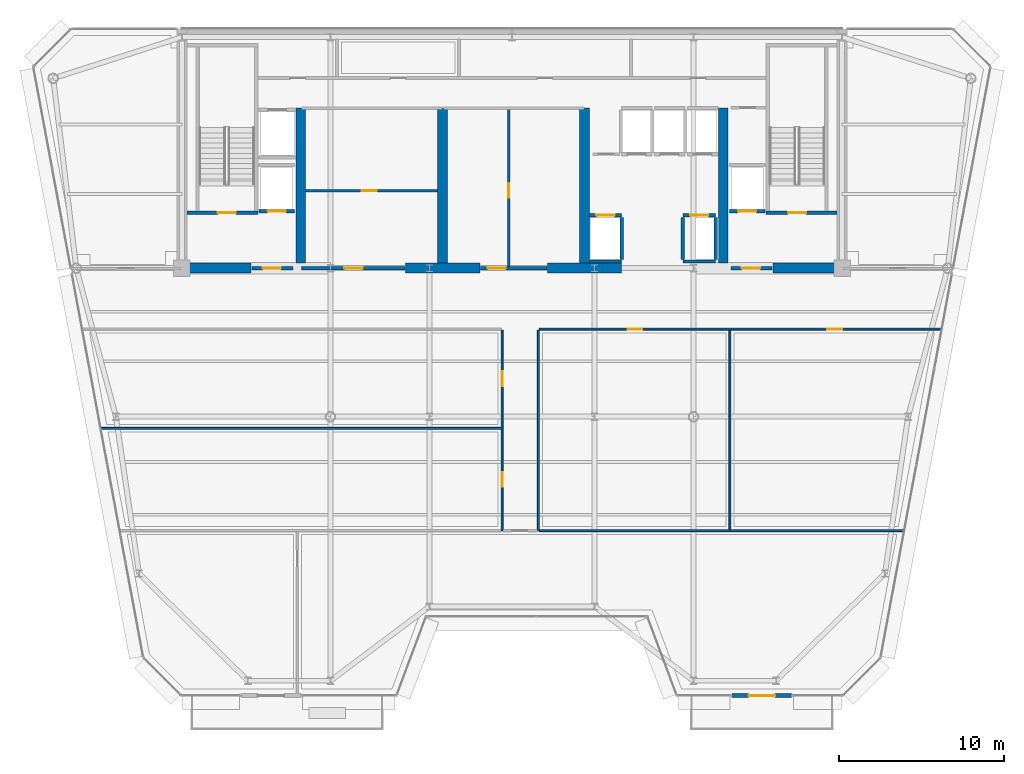
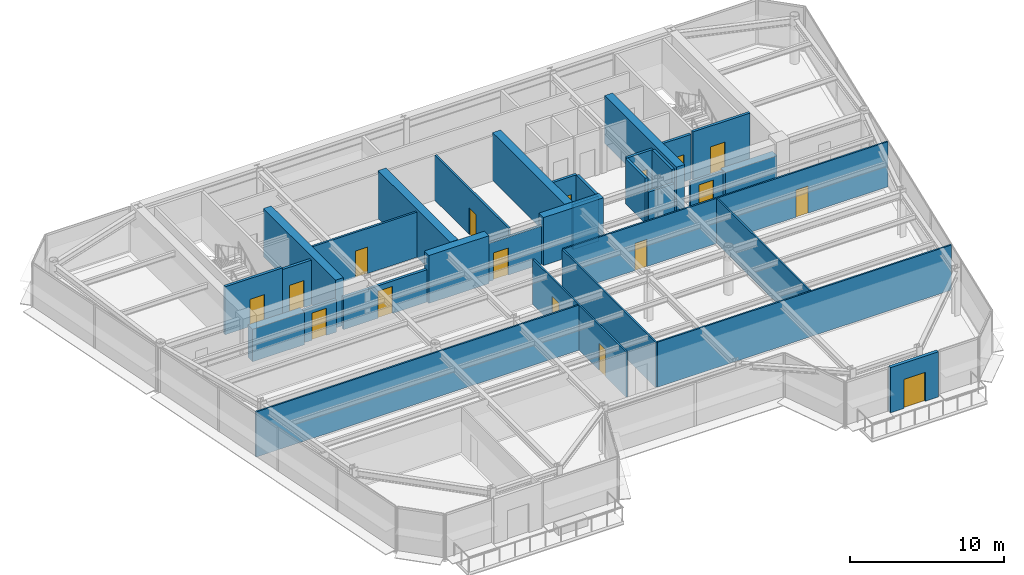
# One storey, part 9 of 14: 32 walls, 17 doors, 17 openings.
"""IFC4 building model written with IfcOpenShell, lengths in metres."""

from ifc_helpers import new_model, si_unit, direction, frame, frame_2d, origin, place, context, subcontext, project, spatial, rectangle, extrude, source, transform, mapped, material, layer, layer_set, type_object, element, fill, save


model = new_model("IFC4")

# Units and contexts
model_context = context("Model", 3, precision=1e-05, world=origin(), true_north=direction((0.0, 1.0)))
body_context = subcontext(model_context, "Body", "Model", "MODEL_VIEW")
ifc_project = project(units=[si_unit("LENGTHUNIT", "METRE"), si_unit("AREAUNIT", "SQUARE_METRE"), si_unit("VOLUMEUNIT", "CUBIC_METRE"), si_unit("PLANEANGLEUNIT", "RADIAN"), si_unit("MASSUNIT", "GRAM", prefix="KILO")], contexts=[model_context])

# Site, building, storey
site_placement = place(None, origin())
site = spatial("IfcSite", under=ifc_project, at=site_placement, CompositionType="ELEMENT")
building_placement = place(site_placement, origin())
building = spatial("IfcBuilding", under=site, at=building_placement, Name="Vaeldorn Concourse Tower", CompositionType="ELEMENT")
storey_placement = place(building_placement, frame((0.0, 0.0, 238.39990234375)))
storey = spatial("IfcBuildingStorey", under=building, at=storey_placement, Name="L61", CompositionType="ELEMENT", Elevation=238.39990234375)

# Walls
ifc_material_1 = material(Name="Concrete C50/60", Category="concrete")
ifc_layer_1 = layer(ifc_material_1, 0.60009765625)
ifc_layer_set_1 = layer_set([ifc_layer_1], Name="Concrete C50/60")
wall_type_1 = type_object("IfcWallType", Name="WL-CORE-600", PredefinedType="SHEAR", material=ifc_layer_set_1)
wall_1_placement = place(storey_placement, frame((14.320068359375, 36.5, 0.0), z_axis=(0.0, 0.0, 1.0), x_axis=(1.0, 0.0, 0.0)))
element("IfcWall", 1, at=wall_1_placement, inside=storey, type_object=wall_type_1, Name="Rear Core Shear Wall L61 S1", PredefinedType="SHEAR", context=body_context, shape_type="SweptSolid", body=[
    extrude(rectangle(XDim=3.8798828125, YDim=0.60009765625, at=frame_2d((1.93994140625, 0.0))), origin(), (0.0, 0.0, 1.0), 2.580078125),
])
for number, where, z_axis, x_axis, name in (
    (2, (27.550048828125, 36.5, 0.0), (0.0, 0.0, 1.0), (1.0, 0.0, 0.0), "Rear Core Shear Wall L61 S2"),
    (3, (36.14990234375, 36.5, 0.0), (0.0, 0.0, 1.0), (1.0, 0.0, 0.0), "Rear Core Shear Wall L61 S3"),
):
    element("IfcWall", number, at=place(storey_placement, frame(where, z_axis=z_axis, x_axis=x_axis)), inside=storey, type_object=wall_type_1, Name=name, PredefinedType="SHEAR", context=body_context, shape_type="SweptSolid", body=[
        extrude(rectangle(XDim=4.5, YDim=0.60009765625, at=frame_2d((2.25, 0.0))), origin(), (0.0, 0.0, 1.0), 3.800048828125),
    ])
wall_2_placement = place(storey_placement, frame((49.800048828125, 36.5, 0.0), z_axis=(0.0, 0.0, 1.0), x_axis=(1.0, 0.0, 0.0)))
element("IfcWall", 4, at=wall_2_placement, inside=storey, type_object=wall_type_1, Name="Rear Core Shear Wall L61 S4", PredefinedType="SHEAR", context=body_context, shape_type="SweptSolid", body=[
    extrude(rectangle(XDim=3.8798828125, YDim=0.60009765625, at=frame_2d((1.93994140625, 0.0))), origin(), (0.0, 0.0, 1.0), 2.580078125),
])
for number, where, z_axis, x_axis, name in (
    (5, (21.199951171875, 36.820068359375, 0.0), (0.0, 0.0, 1.0), (0.0, 1.0, 0.0), "Rear Core Shear Wall L61 M1"),
    (6, (29.800048828125, 36.820068359375, 0.0), (0.0, 0.0, 1.0), (0.0, 1.0, 0.0), "Rear Core Shear Wall L61 M2"),
    (7, (38.39990234375, 36.820068359375, 0.0), (0.0, 0.0, 1.0), (0.0, 1.0, 0.0), "Rear Core Shear Wall L61 M3"),
    (8, (46.800048828125, 36.820068359375, 0.0), (0.0, 0.0, 1.0), (0.0, 1.0, 0.0), "Rear Core Shear Wall L61 M4"),
):
    element("IfcWall", number, at=place(storey_placement, frame(where, z_axis=z_axis, x_axis=x_axis)), inside=storey, type_object=wall_type_1, Name=name, PredefinedType="SHEAR", context=body_context, shape_type="SweptSolid", body=[
        extrude(rectangle(XDim=9.3798828125, YDim=0.60009765625, at=frame_2d((4.68994140625, 0.0))), origin(), (0.0, 0.0, 1.0), 3.800048828125),
    ])

# Wall, opening, door
ifc_material_2 = material(Name="Precast concrete C40/50", Category="concrete")
ifc_layer_2 = layer(ifc_material_2, 0.25)
ifc_layer_set_2 = layer_set([ifc_layer_2], Name="Precast concrete C40/50")
wall_type_2 = type_object("IfcWallType", Name="WL-EXT-TERRACE-250", PredefinedType="STANDARD", material=ifc_layer_set_2)
wall_3_placement = place(storey_placement, frame((50.93994140625, 10.60009765625, 0.0), z_axis=(0.0, 0.0, 1.0), x_axis=(-1.0, 0.0, 0.0)))
wall_3 = element("IfcWall", 9, at=wall_3_placement, inside=storey, type_object=wall_type_2, Name="Sawtooth Sky Garden Portal Wall L61-2", PredefinedType="STANDARD", context=body_context, shape_type="SweptSolid", body=[
    extrude(rectangle(XDim=3.599853515625, YDim=0.25, at=frame_2d((1.7998046875, 0.0))), origin(), (0.0, 0.0, 1.0), 3.580078125),
])
opening_1_placement = place(wall_3_placement, frame((1.0, 0.0, 0.0)))
opening_1 = element("IfcOpeningElement", 10, at=opening_1_placement, cuts=wall_3, Name="Opening DG-1", PredefinedType="OPENING", context=body_context, shape_type="SweptSolid", body=[
    extrude(rectangle(XDim=1.60009765625, YDim=2.300048828125, at=frame_2d((0.800048828125, 1.14990234375))), frame((0.0, 0.135009765625, 0.0), z_axis=(0.0, -1.0, 0.0), x_axis=(1.0, 0.0, 0.0)), (0.0, 0.0, 1.0), 0.27001953125),
])
ifc_material_3 = material(Name="Anodised Bronze Aluminium", Category="aluminium")
door_type_1 = type_object("IfcDoorType", Name="DR-EXTERNAL-1600", OperationType="DOUBLE_DOOR_SINGLE_SWING", PredefinedType="DOOR", material=ifc_material_3)
shared_shape_1 = source(origin(), body_context, "Body", "SweptSolid", [
    extrude(rectangle(XDim=1.60009765625, YDim=2.300048828125, at=frame_2d((0.800048828125, 1.14990234375))), frame((0.0, 0.02490234375, 0.0), z_axis=(0.0, -1.0, 0.0), x_axis=(1.0, 0.0, 0.0)), (0.0, 0.0, 1.0), 0.050048828125),
])
door_1_placement = place(opening_1_placement, origin())
door_1 = element("IfcDoor", 11, at=door_1_placement, inside=storey, type_object=door_type_1, Name="Sawtooth Sky Garden Terrace Door L61-2", OperationType="DOUBLE_DOOR_SINGLE_SWING", OverallHeight=2.300048828125, OverallWidth=1.60009765625, PredefinedType="DOOR", context=body_context, shape_type="MappedRepresentation", body=[
    mapped(shared_shape_1, transform((0.0, 0.0, 0.0), scale=1.0)),
])
fill(opening_1, door_1)

# Wall, openings, doors
ifc_material_4 = material(Name="Gypsum Board Partition", Category="gypsum")
ifc_layer_3 = layer(ifc_material_4, 0.1201171875)
ifc_layer_set_3 = layer_set([ifc_layer_3], Name="Gypsum Board Partition")
wall_type_3 = type_object("IfcWallType", Name="WL-PART-120", PredefinedType="PARTITIONING", material=ifc_layer_set_3)
wall_4_placement = place(storey_placement, frame((35.659912109375, 32.800048828125, 0.0), z_axis=(0.0, 0.0, 1.0), x_axis=(1.0, 0.0, 0.0)))
wall_4 = element("IfcWall", 12, at=wall_4_placement, inside=storey, type_object=wall_type_3, Name="Interior Wall PW-L61-C2SE", PredefinedType="PARTITIONING", context=body_context, shape_type="SweptSolid", body=[
    extrude(rectangle(XDim=24.339599609375, YDim=0.1201171875, at=frame_2d((12.169921875, 0.0))), origin(), (0.0, 0.0, 1.0), 3.580078125),
])
opening_2_placement = place(wall_4_placement, frame((5.340087890625, 0.0, 0.0)))
opening_2 = element("IfcOpeningElement", 13, at=opening_2_placement, cuts=wall_4, Name="Opening D-03", PredefinedType="OPENING", context=body_context, shape_type="SweptSolid", body=[
    extrude(rectangle(XDim=0.89990234375, YDim=2.14990234375, at=frame_2d((0.449951171875, 1.074951171875))), frame((0.0, 0.070068359375, 0.0), z_axis=(0.0, -1.0, 0.0), x_axis=(1.0, 0.0, 0.0)), (0.0, 0.0, 1.0), 0.14013671875),
])
opening_3_placement = place(wall_4_placement, frame((17.43994140625, 0.0, 0.0)))
opening_3 = element("IfcOpeningElement", 14, at=opening_3_placement, cuts=wall_4, Name="Opening D-03", PredefinedType="OPENING", context=body_context, shape_type="SweptSolid", body=[
    extrude(rectangle(XDim=0.89990234375, YDim=2.14990234375, at=frame_2d((0.449951171875, 1.074951171875))), frame((0.0, 0.070068359375, 0.0), z_axis=(0.0, -1.0, 0.0), x_axis=(1.0, 0.0, 0.0)), (0.0, 0.0, 1.0), 0.14013671875),
])
ifc_material_5 = material(Name="Acoustic Bronze-Framed Glass Door", Category="glass")
door_type_2 = type_object("IfcDoorType", Name="DR-INT-900", OperationType="NOTDEFINED", PredefinedType="DOOR", material=ifc_material_5)
shared_shape_2 = source(origin(), body_context, "Body", "SweptSolid", [
    extrude(rectangle(XDim=0.89990234375, YDim=2.14990234375, at=frame_2d((0.449951171875, 1.074951171875))), frame((0.0, 0.02490234375, 0.0), z_axis=(0.0, -1.0, 0.0), x_axis=(1.0, 0.0, 0.0)), (0.0, 0.0, 1.0), 0.050048828125),
])
door_2_placement = place(opening_2_placement, origin())
door_2 = element("IfcDoor", 15, at=door_2_placement, inside=storey, type_object=door_type_2, Name="Interior Door DR-L61-Z2E1", OperationType="SINGLE_SWING_RIGHT", OverallHeight=2.14990234375, OverallWidth=0.89990234375, PredefinedType="DOOR", context=body_context, shape_type="MappedRepresentation", body=[
    mapped(shared_shape_2, transform((0.0, 0.0, 0.0), scale=1.0)),
])
fill(opening_2, door_2)
door_3_placement = place(opening_3_placement, origin())
door_3 = element("IfcDoor", 16, at=door_3_placement, inside=storey, type_object=door_type_2, Name="Interior Door DR-L61-Z2E2", OperationType="SINGLE_SWING_LEFT", OverallHeight=2.14990234375, OverallWidth=0.89990234375, PredefinedType="DOOR", context=body_context, shape_type="MappedRepresentation", body=[
    mapped(shared_shape_2, transform((0.0, 0.0, 0.0), scale=1.0)),
])
fill(opening_3, door_3)

wall_5_placement = place(storey_placement, frame((33.39990234375, 20.60009765625, 0.0), z_axis=(0.0, 0.0, 1.0), x_axis=(0.0, 1.0, 0.0)))
wall_5 = element("IfcWall", 17, at=wall_5_placement, inside=storey, type_object=wall_type_3, Name="Interior Wall PW-L61-SP2W", PredefinedType="PARTITIONING", context=body_context, shape_type="SweptSolid", body=[
    extrude(rectangle(XDim=12.139892578125, YDim=0.1201171875, at=frame_2d((6.06982421875, 0.0))), origin(), (0.0, 0.0, 1.0), 3.580078125),
])
opening_4_placement = place(wall_5_placement, frame((2.64990234375, 0.0, 0.0)))
opening_4 = element("IfcOpeningElement", 18, at=opening_4_placement, cuts=wall_5, Name="Opening D-03", PredefinedType="OPENING", context=body_context, shape_type="SweptSolid", body=[
    extrude(rectangle(XDim=0.89990234375, YDim=2.14990234375, at=frame_2d((0.449951171875, 1.074951171875))), frame((0.0, 0.070068359375, 0.0), z_axis=(0.0, -1.0, 0.0), x_axis=(1.0, 0.0, 0.0)), (0.0, 0.0, 1.0), 0.14013671875),
])
opening_5_placement = place(wall_5_placement, frame((8.75, 0.0, 0.0)))
opening_5 = element("IfcOpeningElement", 19, at=opening_5_placement, cuts=wall_5, Name="Opening D-03", PredefinedType="OPENING", context=body_context, shape_type="SweptSolid", body=[
    extrude(rectangle(XDim=0.89990234375, YDim=2.14990234375, at=frame_2d((0.449951171875, 1.074951171875))), frame((0.0, 0.070068359375, 0.0), z_axis=(0.0, -1.0, 0.0), x_axis=(1.0, 0.0, 0.0)), (0.0, 0.0, 1.0), 0.14013671875),
])
door_4_placement = place(opening_4_placement, origin())
door_4 = element("IfcDoor", 20, at=door_4_placement, inside=storey, type_object=door_type_2, Name="Interior Door DR-L61-Z2W1", OperationType="SINGLE_SWING_LEFT", OverallHeight=2.14990234375, OverallWidth=0.89990234375, PredefinedType="DOOR", context=body_context, shape_type="MappedRepresentation", body=[
    mapped(shared_shape_2, transform((0.0, 0.0, 0.0), scale=1.0)),
])
fill(opening_4, door_4)
door_5_placement = place(opening_5_placement, origin())
door_5 = element("IfcDoor", 21, at=door_5_placement, inside=storey, type_object=door_type_2, Name="Interior Door DR-L61-Z2W2", OperationType="SINGLE_SWING_RIGHT", OverallHeight=2.14990234375, OverallWidth=0.89990234375, PredefinedType="DOOR", context=body_context, shape_type="MappedRepresentation", body=[
    mapped(shared_shape_2, transform((0.0, 0.0, 0.0), scale=1.0)),
])
fill(opening_5, door_5)

# Walls
wall_6_placement = place(storey_placement, frame((35.60009765625, 20.60009765625, 0.0), z_axis=(0.0, 0.0, 1.0), x_axis=(0.0, 1.0, 0.0)))
element("IfcWall", 22, at=wall_6_placement, inside=storey, type_object=wall_type_3, Name="Interior Wall PW-L61-SP2E", PredefinedType="PARTITIONING", context=body_context, shape_type="SweptSolid", body=[
    extrude(rectangle(XDim=12.139892578125, YDim=0.1201171875, at=frame_2d((6.06982421875, 0.0))), origin(), (0.0, 0.0, 1.0), 3.580078125),
])
wall_7_placement = place(storey_placement, frame((35.659912109375, 20.60009765625, 0.0), z_axis=(0.0, 0.0, 1.0), x_axis=(1.0, 0.0, 0.0)))
element("IfcWall", 23, at=wall_7_placement, inside=storey, type_object=wall_type_3, Name="Interior Wall PW-L61-S2EL", PredefinedType="PARTITIONING", context=body_context, shape_type="SweptSolid", body=[
    extrude(rectangle(XDim=22.06787109375, YDim=0.1201171875, at=frame_2d((11.033935546875, 0.0))), origin(), (0.0, 0.0, 1.0), 3.580078125),
])
wall_8_placement = place(storey_placement, frame((9.117919921875, 26.800048828125, 0.0), z_axis=(0.0, 0.0, 1.0), x_axis=(1.0, 0.0, 0.0)))
element("IfcWall", 24, at=wall_8_placement, inside=storey, type_object=wall_type_3, Name="Interior Wall PW-L61-Z2WY1", PredefinedType="PARTITIONING", context=body_context, shape_type="SweptSolid", body=[
    extrude(rectangle(XDim=24.22216796875, YDim=0.1201171875, at=frame_2d((12.111083984375, 0.0))), origin(), (0.0, 0.0, 1.0), 3.580078125),
])
wall_9_placement = place(storey_placement, frame((47.199951171875, 20.659912109375, 0.0), z_axis=(0.0, 0.0, 1.0), x_axis=(0.0, 1.0, 0.0)))
element("IfcWall", 25, at=wall_9_placement, inside=storey, type_object=wall_type_3, Name="Interior Wall PW-L61-Z2EX1", PredefinedType="PARTITIONING", context=body_context, shape_type="SweptSolid", body=[
    extrude(rectangle(XDim=12.080078125, YDim=0.1201171875, at=frame_2d((6.0400390625, 0.0))), origin(), (0.0, 0.0, 1.0), 3.580078125),
])

# Wall, opening, door
ifc_layer_4 = layer(ifc_material_4, 0.14990234375)
ifc_layer_set_4 = layer_set([ifc_layer_4], Name="Gypsum Board Partition")
wall_type_4 = type_object("IfcWallType", Name="WL-PART-150", PredefinedType="PARTITIONING", material=ifc_layer_set_4)
wall_10_placement = place(storey_placement, frame((21.5, 41.199951171875, 0.0), z_axis=(0.0, 0.0, 1.0), x_axis=(1.0, 0.0, 0.0)))
wall_10 = element("IfcWall", 26, at=wall_10_placement, inside=storey, type_object=wall_type_4, Name="Interior Wall CW-L61-R1M", PredefinedType="PARTITIONING", context=body_context, shape_type="SweptSolid", body=[
    extrude(rectangle(XDim=8.0, YDim=0.14990234375, at=frame_2d((4.0, 0.0))), origin(), (0.0, 0.0, 1.0), 3.580078125),
])
opening_6_placement = place(wall_10_placement, frame((3.39990234375, 0.0, 0.0)))
opening_6 = element("IfcOpeningElement", 27, at=opening_6_placement, cuts=wall_10, Name="Opening D-02", PredefinedType="OPENING", context=body_context, shape_type="SweptSolid", body=[
    extrude(rectangle(XDim=0.89990234375, YDim=2.10009765625, at=frame_2d((0.449951171875, 1.050048828125))), frame((0.0, 0.0849609375, 0.0), z_axis=(0.0, -1.0, 0.0), x_axis=(1.0, 0.0, 0.0)), (0.0, 0.0, 1.0), 0.169921875),
])
ifc_material_6 = material(Name="Fire-Rated Timber Leaf", Category="wood")
door_type_3 = type_object("IfcDoorType", Name="DR-FD30-900", OperationType="NOTDEFINED", PredefinedType="DOOR", material=ifc_material_6)
shared_shape_3 = source(origin(), body_context, "Body", "SweptSolid", [
    extrude(rectangle(XDim=0.89990234375, YDim=2.10009765625, at=frame_2d((0.449951171875, 1.050048828125))), frame((0.0, 0.02490234375, 0.0), z_axis=(0.0, -1.0, 0.0), x_axis=(1.0, 0.0, 0.0)), (0.0, 0.0, 1.0), 0.050048828125),
])
door_6_placement = place(opening_6_placement, origin())
door_6 = element("IfcDoor", 28, at=door_6_placement, inside=storey, type_object=door_type_3, Name="Interior Door DR-L61-R1M", OperationType="SINGLE_SWING_RIGHT", OverallHeight=2.10009765625, OverallWidth=0.89990234375, PredefinedType="DOOR", context=body_context, shape_type="MappedRepresentation", body=[
    mapped(shared_shape_3, transform((0.0, 0.0, 0.0), scale=1.0)),
])
fill(opening_6, door_6)

wall_11_placement = place(storey_placement, frame((33.800048828125, 36.56005859375, 0.0), z_axis=(0.0, 0.0, 1.0), x_axis=(0.0, 1.0, 0.0)))
wall_11 = element("IfcWall", 29, at=wall_11_placement, inside=storey, type_object=wall_type_4, Name="Interior Wall CW-L61-R2M", PredefinedType="PARTITIONING", context=body_context, shape_type="SweptSolid", body=[
    extrude(rectangle(XDim=9.579833984375, YDim=0.14990234375, at=frame_2d((4.7900390625, 0.0))), origin(), (0.0, 0.0, 1.0), 3.580078125),
])
opening_7_placement = place(wall_11_placement, frame((4.199951171875, 0.0, 0.0)))
opening_7 = element("IfcOpeningElement", 30, at=opening_7_placement, cuts=wall_11, Name="Opening D-02", PredefinedType="OPENING", context=body_context, shape_type="SweptSolid", body=[
    extrude(rectangle(XDim=0.89990234375, YDim=2.10009765625, at=frame_2d((0.449951171875, 1.050048828125))), frame((0.0, 0.0849609375, 0.0), z_axis=(0.0, -1.0, 0.0), x_axis=(1.0, 0.0, 0.0)), (0.0, 0.0, 1.0), 0.169921875),
])
door_7_placement = place(opening_7_placement, origin())
door_7 = element("IfcDoor", 31, at=door_7_placement, inside=storey, type_object=door_type_3, Name="Interior Door DR-L61-R2E", OperationType="SINGLE_SWING_RIGHT", OverallHeight=2.10009765625, OverallWidth=0.89990234375, PredefinedType="DOOR", context=body_context, shape_type="MappedRepresentation", body=[
    mapped(shared_shape_3, transform((0.0, 0.0, 0.0), scale=1.0)),
])
fill(opening_7, door_7)

ifc_layer_5 = layer(ifc_material_1, 0.199951171875)
ifc_layer_set_5 = layer_set([ifc_layer_5], Name="Concrete C50/60")
wall_type_5 = type_object("IfcWallType", Name="WL-SHAFT-200", PredefinedType="SOLIDWALL", material=ifc_layer_set_5)
wall_12_placement = place(storey_placement, frame((14.300048828125, 39.85009765625, 0.0), z_axis=(0.0, 0.0, 1.0), x_axis=(1.0, 0.0, 0.0)))
wall_12 = element("IfcWall", 32, at=wall_12_placement, inside=storey, type_object=wall_type_5, Name="Stair Shaft Wall CW-L61-ST-1-S", PredefinedType="SOLIDWALL", context=body_context, shape_type="SweptSolid", body=[
    extrude(rectangle(XDim=4.300048828125, YDim=0.199951171875, at=frame_2d((2.14990234375, 0.0))), origin(), (0.0, 0.0, 1.0), 3.800048828125),
])
opening_8_placement = place(wall_12_placement, frame((1.875, 0.0, 0.0)))
opening_8 = element("IfcOpeningElement", 33, at=opening_8_placement, cuts=wall_12, Name="Opening D-01", PredefinedType="OPENING", context=body_context, shape_type="SweptSolid", body=[
    extrude(rectangle(XDim=1.10009765625, YDim=2.14990234375, at=frame_2d((0.550048828125, 1.074951171875))), frame((0.0, 0.10986328125, 0.0), z_axis=(0.0, -1.0, 0.0), x_axis=(1.0, 0.0, 0.0)), (0.0, 0.0, 1.0), 0.219970703125),
])
ifc_material_7 = material(Name="Fire-Rated Timber and Steel Leaf", Category="steel")
door_type_4 = type_object("IfcDoorType", Name="DR-FD60-1100", OperationType="NOTDEFINED", PredefinedType="DOOR", material=ifc_material_7)
shared_shape_4 = source(origin(), body_context, "Body", "SweptSolid", [
    extrude(rectangle(XDim=1.10009765625, YDim=2.14990234375, at=frame_2d((0.550048828125, 1.074951171875))), frame((0.0, 0.02490234375, 0.0), z_axis=(0.0, -1.0, 0.0), x_axis=(1.0, 0.0, 0.0)), (0.0, 0.0, 1.0), 0.050048828125),
])
door_8_placement = place(opening_8_placement, origin())
door_8 = element("IfcDoor", 34, at=door_8_placement, inside=storey, type_object=door_type_4, Name="Interior Door DR-L61-ST-1", OperationType="SINGLE_SWING_LEFT", OverallHeight=2.14990234375, OverallWidth=1.10009765625, PredefinedType="DOOR", context=body_context, shape_type="MappedRepresentation", body=[
    mapped(shared_shape_4, transform((0.0, 0.0, 0.0), scale=1.0)),
])
fill(opening_8, door_8)

wall_13_placement = place(storey_placement, frame((49.39990234375, 39.85009765625, 0.0), z_axis=(0.0, 0.0, 1.0), x_axis=(1.0, 0.0, 0.0)))
wall_13 = element("IfcWall", 35, at=wall_13_placement, inside=storey, type_object=wall_type_5, Name="Stair Shaft Wall CW-L61-ST-2-S", PredefinedType="SOLIDWALL", context=body_context, shape_type="SweptSolid", body=[
    extrude(rectangle(XDim=4.300048828125, YDim=0.199951171875, at=frame_2d((2.14990234375, 0.0))), origin(), (0.0, 0.0, 1.0), 3.800048828125),
])
opening_9_placement = place(wall_13_placement, frame((1.324951171875, 0.0, 0.0)))
opening_9 = element("IfcOpeningElement", 36, at=opening_9_placement, cuts=wall_13, Name="Opening D-01", PredefinedType="OPENING", context=body_context, shape_type="SweptSolid", body=[
    extrude(rectangle(XDim=1.10009765625, YDim=2.14990234375, at=frame_2d((0.550048828125, 1.074951171875))), frame((0.0, 0.10986328125, 0.0), z_axis=(0.0, -1.0, 0.0), x_axis=(1.0, 0.0, 0.0)), (0.0, 0.0, 1.0), 0.219970703125),
])
door_9_placement = place(opening_9_placement, origin())
door_9 = element("IfcDoor", 37, at=door_9_placement, inside=storey, type_object=door_type_4, Name="Interior Door DR-L61-ST-2", OperationType="SINGLE_SWING_RIGHT", OverallHeight=2.14990234375, OverallWidth=1.10009765625, PredefinedType="DOOR", context=body_context, shape_type="MappedRepresentation", body=[
    mapped(shared_shape_4, transform((0.0, 0.0, 0.0), scale=1.0)),
])
fill(opening_9, door_9)

wall_14_placement = place(storey_placement, frame((18.25, 36.5, 0.0), z_axis=(0.0, 0.0, 1.0), x_axis=(1.0, 0.0, 0.0)))
wall_14 = element("IfcWall", 38, at=wall_14_placement, inside=storey, type_object=wall_type_5, Name="Interior Wall CW-L61-FF1S", PredefinedType="SOLIDWALL", context=body_context, shape_type="SweptSolid", body=[
    extrude(rectangle(XDim=2.469970703125, YDim=0.199951171875, at=frame_2d((1.23486328125, 0.0))), origin(), (0.0, 0.0, 1.0), 2.570068359375),
])
opening_10_placement = place(wall_14_placement, frame((0.64990234375, 0.0, 0.0)))
opening_10 = element("IfcOpeningElement", 39, at=opening_10_placement, cuts=wall_14, Name="Opening D-01", PredefinedType="OPENING", context=body_context, shape_type="SweptSolid", body=[
    extrude(rectangle(XDim=1.10009765625, YDim=2.14990234375, at=frame_2d((0.550048828125, 1.074951171875))), frame((0.0, 0.10986328125, 0.0), z_axis=(0.0, -1.0, 0.0), x_axis=(1.0, 0.0, 0.0)), (0.0, 0.0, 1.0), 0.219970703125),
])
door_10_placement = place(opening_10_placement, origin())
door_10 = element("IfcDoor", 40, at=door_10_placement, inside=storey, type_object=door_type_4, Name="Interior Door DR-L61-FF1E", OperationType="SINGLE_SWING_RIGHT", OverallHeight=2.14990234375, OverallWidth=1.10009765625, PredefinedType="DOOR", context=body_context, shape_type="MappedRepresentation", body=[
    mapped(shared_shape_4, transform((0.0, 0.0, 0.0), scale=1.0)),
])
fill(opening_10, door_10)

wall_15_placement = place(storey_placement, frame((47.280029296875, 36.5, 0.0), z_axis=(0.0, 0.0, 1.0), x_axis=(1.0, 0.0, 0.0)))
wall_15 = element("IfcWall", 41, at=wall_15_placement, inside=storey, type_object=wall_type_5, Name="Interior Wall CW-L61-FF2S", PredefinedType="SOLIDWALL", context=body_context, shape_type="SweptSolid", body=[
    extrude(rectangle(XDim=2.469970703125, YDim=0.199951171875, at=frame_2d((1.23486328125, 0.0))), origin(), (0.0, 0.0, 1.0), 2.570068359375),
])
opening_11_placement = place(wall_15_placement, frame((0.64990234375, 0.0, 0.0)))
opening_11 = element("IfcOpeningElement", 42, at=opening_11_placement, cuts=wall_15, Name="Opening D-01", PredefinedType="OPENING", context=body_context, shape_type="SweptSolid", body=[
    extrude(rectangle(XDim=1.10009765625, YDim=2.14990234375, at=frame_2d((0.550048828125, 1.074951171875))), frame((0.0, 0.10986328125, 0.0), z_axis=(0.0, -1.0, 0.0), x_axis=(1.0, 0.0, 0.0)), (0.0, 0.0, 1.0), 0.219970703125),
])
door_11_placement = place(opening_11_placement, origin())
door_11 = element("IfcDoor", 43, at=door_11_placement, inside=storey, type_object=door_type_4, Name="Interior Door DR-L61-FF2W", OperationType="SINGLE_SWING_LEFT", OverallHeight=2.14990234375, OverallWidth=1.10009765625, PredefinedType="DOOR", context=body_context, shape_type="MappedRepresentation", body=[
    mapped(shared_shape_4, transform((0.0, 0.0, 0.0), scale=1.0)),
])
fill(opening_11, door_11)

wall_16_placement = place(storey_placement, frame((38.7099609375, 39.699951171875, 0.0), z_axis=(0.0, 0.0, 1.0), x_axis=(1.0, 0.0, 0.0)))
wall_16 = element("IfcWall", 44, at=wall_16_placement, inside=storey, type_object=wall_type_5, Name="Interior Wall CW-L61-LF-LF-13", PredefinedType="SOLIDWALL", context=body_context, shape_type="SweptSolid", body=[
    extrude(rectangle(XDim=1.919921875, YDim=0.199951171875, at=frame_2d((0.9599609375, 0.0))), origin(), (0.0, 0.0, 1.0), 3.580078125),
])
opening_12_placement = place(wall_16_placement, frame((0.409912109375, 0.0, 0.0)))
opening_12 = element("IfcOpeningElement", 45, at=opening_12_placement, cuts=wall_16, Name="Opening LD-1", PredefinedType="OPENING", context=body_context, shape_type="SweptSolid", body=[
    extrude(rectangle(XDim=1.10009765625, YDim=2.14990234375, at=frame_2d((0.550048828125, 1.074951171875))), frame((0.0, 0.10986328125, 0.0), z_axis=(0.0, -1.0, 0.0), x_axis=(1.0, 0.0, 0.0)), (0.0, 0.0, 1.0), 0.219970703125),
])
door_type_5 = type_object("IfcDoorType", Name="DR-LIFT-SLIDE-1100", OperationType="DOUBLE_DOOR_SLIDING", PredefinedType="DOOR", material=ifc_material_3)
door_12_placement = place(opening_12_placement, origin())
door_12 = element("IfcDoor", 46, at=door_12_placement, inside=storey, type_object=door_type_5, Name="Lift Landing Door LD-L61-LF-13", OperationType="DOUBLE_DOOR_SLIDING", OverallHeight=2.14990234375, OverallWidth=1.10009765625, PredefinedType="DOOR", context=body_context, shape_type="MappedRepresentation", body=[
    mapped(shared_shape_4, transform((0.0, 0.0, 0.0), scale=1.0)),
])
fill(opening_12, door_12)

# Walls
wall_17_placement = place(storey_placement, frame((38.7099609375, 36.89990234375, 0.0), z_axis=(0.0, 0.0, 1.0), x_axis=(1.0, 0.0, 0.0)))
element("IfcWall", 47, at=wall_17_placement, inside=storey, type_object=wall_type_5, Name="Interior Wall CW-L61-LFB-LF-13", PredefinedType="SOLIDWALL", context=body_context, shape_type="SweptSolid", body=[
    extrude(rectangle(XDim=1.919921875, YDim=0.199951171875, at=frame_2d((0.9599609375, 0.0))), origin(), (0.0, 0.0, 1.0), 3.580078125),
])
wall_18_placement = place(storey_placement, frame((40.64990234375, 37.02001953125, 0.0), z_axis=(0.0, 0.0, 1.0), x_axis=(0.0, 1.0, 0.0)))
element("IfcWall", 48, at=wall_18_placement, inside=storey, type_object=wall_type_5, Name="Interior Wall CW-L61-LFE-LF-13", PredefinedType="SOLIDWALL", context=body_context, shape_type="SweptSolid", body=[
    extrude(rectangle(XDim=2.56005859375, YDim=0.199951171875, at=frame_2d((1.280029296875, 0.0))), origin(), (0.0, 0.0, 1.0), 3.580078125),
])

# Wall, opening, door
wall_19_placement = place(storey_placement, frame((44.3701171875, 39.699951171875, 0.0), z_axis=(0.0, 0.0, 1.0), x_axis=(1.0, 0.0, 0.0)))
wall_19 = element("IfcWall", 49, at=wall_19_placement, inside=storey, type_object=wall_type_5, Name="Interior Wall CW-L61-LF-LF-14", PredefinedType="SOLIDWALL", context=body_context, shape_type="SweptSolid", body=[
    extrude(rectangle(XDim=1.9599609375, YDim=0.199951171875, at=frame_2d((0.97998046875, 0.0))), origin(), (0.0, 0.0, 1.0), 3.580078125),
])
opening_13_placement = place(wall_19_placement, frame((0.429931640625, 0.0, 0.0)))
opening_13 = element("IfcOpeningElement", 50, at=opening_13_placement, cuts=wall_19, Name="Opening LD-1", PredefinedType="OPENING", context=body_context, shape_type="SweptSolid", body=[
    extrude(rectangle(XDim=1.10009765625, YDim=2.14990234375, at=frame_2d((0.550048828125, 1.074951171875))), frame((0.0, 0.10986328125, 0.0), z_axis=(0.0, -1.0, 0.0), x_axis=(1.0, 0.0, 0.0)), (0.0, 0.0, 1.0), 0.219970703125),
])
door_13_placement = place(opening_13_placement, origin())
door_13 = element("IfcDoor", 51, at=door_13_placement, inside=storey, type_object=door_type_5, Name="Lift Landing Door LD-L61-LF-14", OperationType="DOUBLE_DOOR_SLIDING", OverallHeight=2.14990234375, OverallWidth=1.10009765625, PredefinedType="DOOR", context=body_context, shape_type="MappedRepresentation", body=[
    mapped(shared_shape_4, transform((0.0, 0.0, 0.0), scale=1.0)),
])
fill(opening_13, door_13)

# Walls
wall_20_placement = place(storey_placement, frame((44.3701171875, 36.89990234375, 0.0), z_axis=(0.0, 0.0, 1.0), x_axis=(1.0, 0.0, 0.0)))
element("IfcWall", 52, at=wall_20_placement, inside=storey, type_object=wall_type_5, Name="Interior Wall CW-L61-LFB-LF-14", PredefinedType="SOLIDWALL", context=body_context, shape_type="SweptSolid", body=[
    extrude(rectangle(XDim=1.9599609375, YDim=0.199951171875, at=frame_2d((0.97998046875, 0.0))), origin(), (0.0, 0.0, 1.0), 2.570068359375),
])
for number, where, z_axis, x_axis, name in (
    (53, (44.35009765625, 37.02001953125, 0.0), (0.0, 0.0, 1.0), (0.0, 1.0, 0.0), "Interior Wall CW-L61-LFW-LF-14"),
    (54, (46.35009765625, 37.02001953125, 0.0), (0.0, 0.0, 1.0), (0.0, 1.0, 0.0), "Interior Wall CW-L61-LFE-LF-14"),
):
    element("IfcWall", number, at=place(storey_placement, frame(where, z_axis=z_axis, x_axis=x_axis)), inside=storey, type_object=wall_type_5, Name=name, PredefinedType="SOLIDWALL", context=body_context, shape_type="SweptSolid", body=[
        extrude(rectangle(XDim=2.56005859375, YDim=0.199951171875, at=frame_2d((1.280029296875, 0.0))), origin(), (0.0, 0.0, 1.0), 3.580078125),
    ])

# Wall, opening, door
wall_21_placement = place(storey_placement, frame((18.669921875, 39.949951171875, 0.0), z_axis=(0.0, 0.0, 1.0), x_axis=(1.0, 0.0, 0.0)))
wall_21 = element("IfcWall", 55, at=wall_21_placement, inside=storey, type_object=wall_type_5, Name="Interior Wall CW-L61-LF-LF-FF1", PredefinedType="SOLIDWALL", context=body_context, shape_type="SweptSolid", body=[
    extrude(rectangle(XDim=2.16015625, YDim=0.199951171875, at=frame_2d((1.080078125, 0.0))), origin(), (0.0, 0.0, 1.0), 3.580078125),
])
opening_14_placement = place(wall_21_placement, frame((0.530029296875, 0.0, 0.0)))
opening_14 = element("IfcOpeningElement", 56, at=opening_14_placement, cuts=wall_21, Name="Opening LD-1", PredefinedType="OPENING", context=body_context, shape_type="SweptSolid", body=[
    extrude(rectangle(XDim=1.10009765625, YDim=2.14990234375, at=frame_2d((0.550048828125, 1.074951171875))), frame((0.0, 0.10986328125, 0.0), z_axis=(0.0, -1.0, 0.0), x_axis=(1.0, 0.0, 0.0)), (0.0, 0.0, 1.0), 0.219970703125),
])
door_14_placement = place(opening_14_placement, origin())
door_14 = element("IfcDoor", 57, at=door_14_placement, inside=storey, type_object=door_type_5, Name="Lift Landing Door LD-L61-LF-FF1", OperationType="DOUBLE_DOOR_SLIDING", OverallHeight=2.14990234375, OverallWidth=1.10009765625, PredefinedType="DOOR", context=body_context, shape_type="MappedRepresentation", body=[
    mapped(shared_shape_4, transform((0.0, 0.0, 0.0), scale=1.0)),
])
fill(opening_14, door_14)

wall_22_placement = place(storey_placement, frame((47.169921875, 39.949951171875, 0.0), z_axis=(0.0, 0.0, 1.0), x_axis=(1.0, 0.0, 0.0)))
wall_22 = element("IfcWall", 58, at=wall_22_placement, inside=storey, type_object=wall_type_5, Name="Interior Wall CW-L61-LF-LF-FF2", PredefinedType="SOLIDWALL", context=body_context, shape_type="SweptSolid", body=[
    extrude(rectangle(XDim=2.16015625, YDim=0.199951171875, at=frame_2d((1.080078125, 0.0))), origin(), (0.0, 0.0, 1.0), 3.580078125),
])
opening_15_placement = place(wall_22_placement, frame((0.530029296875, 0.0, 0.0)))
opening_15 = element("IfcOpeningElement", 59, at=opening_15_placement, cuts=wall_22, Name="Opening LD-1", PredefinedType="OPENING", context=body_context, shape_type="SweptSolid", body=[
    extrude(rectangle(XDim=1.10009765625, YDim=2.14990234375, at=frame_2d((0.550048828125, 1.074951171875))), frame((0.0, 0.10986328125, 0.0), z_axis=(0.0, -1.0, 0.0), x_axis=(1.0, 0.0, 0.0)), (0.0, 0.0, 1.0), 0.219970703125),
])
door_15_placement = place(opening_15_placement, origin())
door_15 = element("IfcDoor", 60, at=door_15_placement, inside=storey, type_object=door_type_5, Name="Lift Landing Door LD-L61-LF-FF2", OperationType="DOUBLE_DOOR_SLIDING", OverallHeight=2.14990234375, OverallWidth=1.10009765625, PredefinedType="DOOR", context=body_context, shape_type="MappedRepresentation", body=[
    mapped(shared_shape_4, transform((0.0, 0.0, 0.0), scale=1.0)),
])
fill(opening_15, door_15)

wall_23_placement = place(storey_placement, frame((21.25, 36.5, 0.0), z_axis=(0.0, 0.0, 1.0), x_axis=(1.0, 0.0, 0.0)))
wall_23 = element("IfcWall", 61, at=wall_23_placement, inside=storey, type_object=wall_type_5, Name="Interior Wall CW-L61-R1S", PredefinedType="SOLIDWALL", context=body_context, shape_type="SweptSolid", body=[
    extrude(rectangle(XDim=6.27001953125, YDim=0.199951171875, at=frame_2d((3.135009765625, 0.0))), origin(), (0.0, 0.0, 1.0), 2.570068359375),
])
opening_16_placement = place(wall_23_placement, frame((2.60009765625, 0.0, 0.0)))
opening_16 = element("IfcOpeningElement", 62, at=opening_16_placement, cuts=wall_23, Name="Opening D-01", PredefinedType="OPENING", context=body_context, shape_type="SweptSolid", body=[
    extrude(rectangle(XDim=1.10009765625, YDim=2.14990234375, at=frame_2d((0.550048828125, 1.074951171875))), frame((0.0, 0.10986328125, 0.0), z_axis=(0.0, -1.0, 0.0), x_axis=(1.0, 0.0, 0.0)), (0.0, 0.0, 1.0), 0.219970703125),
])
door_16_placement = place(opening_16_placement, origin())
door_16 = element("IfcDoor", 63, at=door_16_placement, inside=storey, type_object=door_type_4, Name="Interior Door DR-L61-R1S", OperationType="SINGLE_SWING_LEFT", OverallHeight=2.14990234375, OverallWidth=1.10009765625, PredefinedType="DOOR", context=body_context, shape_type="MappedRepresentation", body=[
    mapped(shared_shape_4, transform((0.0, 0.0, 0.0), scale=1.0)),
])
fill(opening_16, door_16)

wall_24_placement = place(storey_placement, frame((32.080078125, 36.5, 0.0), z_axis=(0.0, 0.0, 1.0), x_axis=(1.0, 0.0, 0.0)))
wall_24 = element("IfcWall", 64, at=wall_24_placement, inside=storey, type_object=wall_type_5, Name="Interior Wall CW-L61-R2S", PredefinedType="SOLIDWALL", context=body_context, shape_type="SweptSolid", body=[
    extrude(rectangle(XDim=4.0400390625, YDim=0.199951171875, at=frame_2d((2.02001953125, 0.0))), origin(), (0.0, 0.0, 1.0), 3.02001953125),
])
opening_17_placement = place(wall_24_placement, frame((0.449951171875, 0.0, 0.0)))
opening_17 = element("IfcOpeningElement", 65, at=opening_17_placement, cuts=wall_24, Name="Opening D-01", PredefinedType="OPENING", context=body_context, shape_type="SweptSolid", body=[
    extrude(rectangle(XDim=1.10009765625, YDim=2.14990234375, at=frame_2d((0.550048828125, 1.074951171875))), frame((0.0, 0.10986328125, 0.0), z_axis=(0.0, -1.0, 0.0), x_axis=(1.0, 0.0, 0.0)), (0.0, 0.0, 1.0), 0.219970703125),
])
door_17_placement = place(opening_17_placement, origin())
door_17 = element("IfcDoor", 66, at=door_17_placement, inside=storey, type_object=door_type_4, Name="Interior Door DR-L61-R2W", OperationType="SINGLE_SWING_LEFT", OverallHeight=2.14990234375, OverallWidth=1.10009765625, PredefinedType="DOOR", context=body_context, shape_type="MappedRepresentation", body=[
    mapped(shared_shape_4, transform((0.0, 0.0, 0.0), scale=1.0)),
])
fill(opening_17, door_17)

save(model, "model.ifc")
